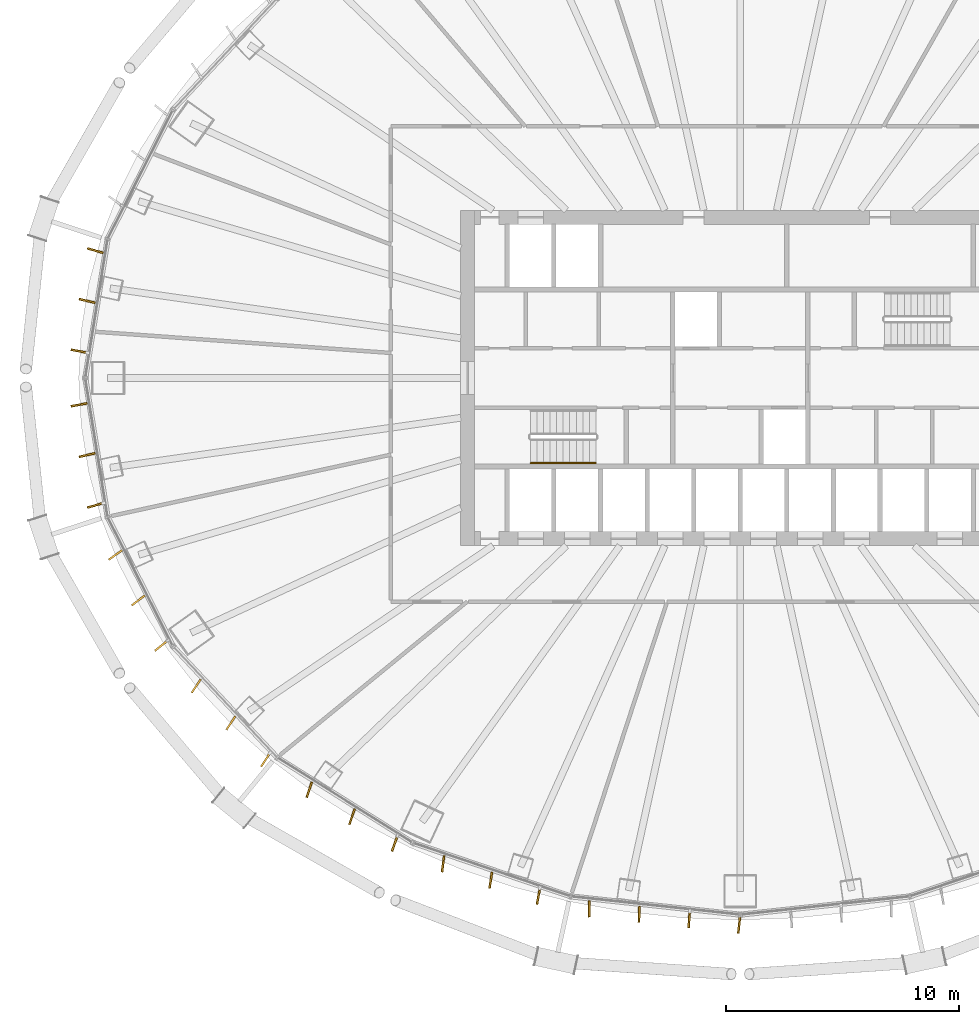
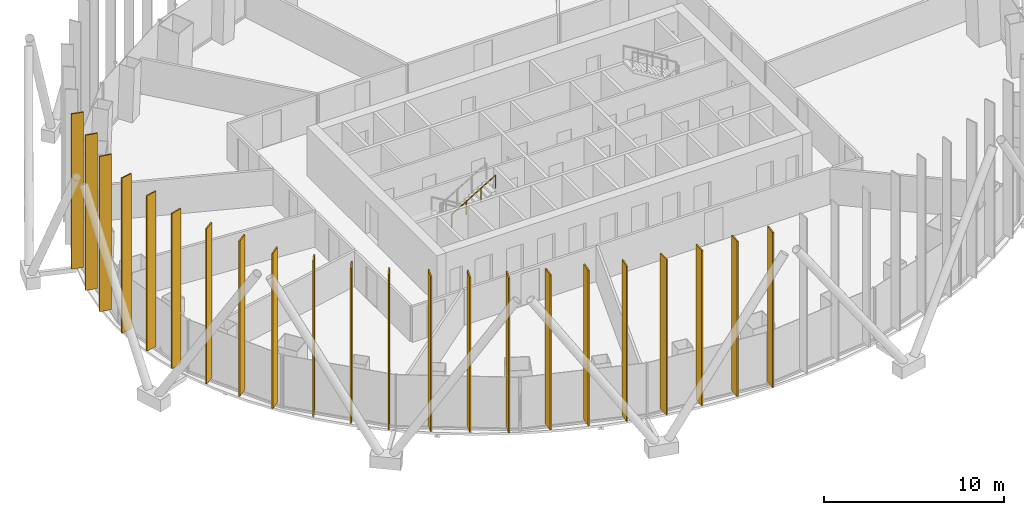
# One storey, part 19 of 22: 22 shading devices, 1 railing.
"""IFC4 building model written with IfcOpenShell, lengths in metres."""

import ifcopenshell
import ifcopenshell.guid

model = None  # the IFC model being written
_history = None  # IfcOwnerHistory: only IFC2X3 demands one
_inside = {}  # id of a spatial element -> (the spatial element, [elements in it])
_under = {}  # id of a project, library or spatial element -> (it, [spatial elements below it])
_declared = {}  # id of a project -> (the project, [libraries it declares])
_typed = {}  # id of a type object -> (the type object, [elements of that type])
_made_of = {}  # id of a material, layer set ... -> (it, [elements and type objects made of it])


def new_model(schema):
    """Start an empty IFC model of exactly this schema.

    Asked for "IFC4X3", IfcOpenShell would pick the latest addendum, in which some entities
    have other attributes; the version numbers below select the first issue.
    IFC2X3 requires an IfcOwnerHistory on every rooted entity: one is made here for all.
    """
    global model, _history
    if schema == "IFC4X3":
        model = ifcopenshell.file(schema_version=(4, 3, 0, 0))
    else:
        model = ifcopenshell.file(schema=schema)
    _inside.clear()
    _under.clear()
    _declared.clear()
    _typed.clear()
    _made_of.clear()
    _history = None
    if model.schema == "IFC2X3":
        org = make("IfcOrganization", Name="unknown")
        user = make(
            "IfcPersonAndOrganization",
            ThePerson=make("IfcPerson", FamilyName="unknown"),
            TheOrganization=org,
        )
        app = make(
            "IfcApplication",
            ApplicationDeveloper=org,
            Version="unknown",
            ApplicationFullName="unknown",
            ApplicationIdentifier="unknown",
        )
        _history = make(
            "IfcOwnerHistory",
            OwningUser=user,
            OwningApplication=app,
            ChangeAction="ADDED",
            CreationDate=0,
        )
    return model


def make(cls, **values):
    """One entity of the class cls with the attributes given. An attribute that is None is left unset."""
    return model.create_entity(
        cls, **{name: value for name, value in values.items() if value is not None}
    )


def rooted(cls, **values):
    """An entity with a GlobalId (a new one), such as an element, a storey or a relation."""
    return make(cls, GlobalId=ifcopenshell.guid.new(), OwnerHistory=_history, **values)


def si_unit(unit_type, name, prefix=None):
    """IfcSIUnit, for example si_unit("LENGTHUNIT", "METRE", prefix="MILLI")."""
    return make("IfcSIUnit", UnitType=unit_type, Prefix=prefix, Name=name)


def assignment(units):
    """IfcUnitAssignment: the units of a project."""
    return None if units is None else make("IfcUnitAssignment", Units=units)


def point(xyz):
    """IfcCartesianPoint."""
    return None if xyz is None else make("IfcCartesianPoint", Coordinates=xyz)


def direction(xyz):
    """IfcDirection."""
    return None if xyz is None else make("IfcDirection", DirectionRatios=xyz)


def frame(location, z_axis=None, x_axis=None):
    """IfcAxis2Placement3D, a coordinate frame: its origin and axes. An axis left out is left unset."""
    return make(
        "IfcAxis2Placement3D",
        Location=point(location),
        Axis=direction(z_axis),
        RefDirection=direction(x_axis),
    )


def frame_2d(location, x_axis=None):
    """IfcAxis2Placement2D, a coordinate frame in the plane: its origin and x axis."""
    return make(
        "IfcAxis2Placement2D", Location=point(location), RefDirection=direction(x_axis)
    )


def origin():
    """The frame at (0, 0, 0) with its axes left unset."""
    return frame((0.0, 0.0, 0.0))


def origin_2d():
    """The frame at (0, 0) in the plane with its x axis left unset."""
    return frame_2d((0.0, 0.0))


def place(relative_to, where):
    """IfcLocalPlacement: puts the frame where relative to a parent placement (None: the world)."""
    return make(
        "IfcLocalPlacement", PlacementRelTo=relative_to, RelativePlacement=where
    )


def context(
    kind, dimensions, precision=None, world=None, true_north=None, identifier=None
):
    """IfcGeometricRepresentationContext, for example the 3D "Model" context."""
    return make(
        "IfcGeometricRepresentationContext",
        ContextIdentifier=identifier,
        ContextType=kind,
        CoordinateSpaceDimension=dimensions,
        Precision=precision,
        WorldCoordinateSystem=world,
        TrueNorth=true_north,
    )


def subcontext(parent, identifier, kind, view, scale=None):
    """IfcGeometricRepresentationSubContext, for example "Body" below "Model"."""
    return make(
        "IfcGeometricRepresentationSubContext",
        ContextIdentifier=identifier,
        ContextType=kind,
        ParentContext=parent,
        TargetScale=scale,
        TargetView=view,
    )


def project(units=None, contexts=None):
    """IfcProject with its units and contexts."""
    return rooted(
        "IfcProject",
        Name="project",
        RepresentationContexts=contexts,
        UnitsInContext=assignment(units),
    )


def spatial(cls, under=None, at=None, **own):
    """A site, building, storey or space (cls), placed at a placement, below another one or the project."""
    s = rooted(cls, ObjectPlacement=at, **own)
    if under is not None:
        _under.setdefault(under.id(), (under, []))[1].append(s)
    return s


def profile(cls, at=None, kind="AREA", **sizes):
    """A parametric profile (cls). Its sizes go by their IFC names, for example OverallWidth=200.0."""
    return make(cls, ProfileType=kind, Position=at, **sizes)


def rectangle(**sizes):
    """IfcRectangleProfileDef."""
    return profile("IfcRectangleProfileDef", **sizes)


def circle(**sizes):
    """IfcCircleProfileDef."""
    return profile("IfcCircleProfileDef", **sizes)


def extrude(swept, where, along, depth):
    """IfcExtrudedAreaSolid: the profile swept, set in the frame where, extruded along a direction by depth."""
    return make(
        "IfcExtrudedAreaSolid",
        SweptArea=swept,
        Position=where,
        ExtrudedDirection=direction(along),
        Depth=depth,
    )


def shape(context_of_items, identifier, shape_type, items):
    """IfcShapeRepresentation: the items that make up one representation, for example the "Body"."""
    return make(
        "IfcShapeRepresentation",
        ContextOfItems=context_of_items,
        RepresentationIdentifier=identifier,
        RepresentationType=shape_type,
        Items=items,
    )


def material(Name=None, Category=None):
    """IfcMaterial."""
    return make("IfcMaterial", Name=Name, Category=Category)


def layer(
    of_material, thickness, ventilated=None, Name=None, Category=None, Priority=None
):
    """IfcMaterialLayer: one layer of a wall or slab, of a material (None: an air gap)."""
    return make(
        "IfcMaterialLayer",
        Material=of_material,
        LayerThickness=thickness,
        IsVentilated=ventilated,
        Name=Name,
        Category=Category,
        Priority=Priority,
    )


def layer_set(layers, Name=None):
    """IfcMaterialLayerSet."""
    return make("IfcMaterialLayerSet", MaterialLayers=layers, LayerSetName=Name)


def made_of(thing, what):
    """Note that an element or type object is made of a material, layer set ...; save() writes the relation."""
    if what is not None:
        _made_of.setdefault(what.id(), (what, []))[1].append(thing)
    return thing


def type_object(cls, material=None, **own):
    """A type object (cls), such as IfcWallType, which elements share."""
    return made_of(rooted(cls, **own), material)


def element(
    cls,
    number,
    at=None,
    inside=None,
    cuts=None,
    type_object=None,
    material=None,
    context=None,
    identifier="Body",
    shape_type=None,
    held_by="IfcProductDefinitionShape",
    body=None,
    shapes=None,
    **own,
):
    """One element of the class cls, such as IfcWall. Its Tag is "e" and its number.

    at: its placement. inside: the storey or other place that contains it. cuts: it is an
    opening in that element (IfcRelVoidsElement). A single representation is given by context,
    identifier, shape_type and body (its items); several are given by shapes. held_by: the class
    of the entity that holds the representations. save() writes the other relations.
    """
    e = rooted(cls, Tag="e%d" % number, ObjectPlacement=at, **own)
    if body is not None:
        shapes = [shape(context, identifier, shape_type, body)]
    if shapes is not None:
        e.Representation = make(held_by, Representations=shapes)
    if inside is not None:
        _inside.setdefault(inside.id(), (inside, []))[1].append(e)
    if cuts is not None:
        rooted(
            "IfcRelVoidsElement", RelatingBuildingElement=cuts, RelatedOpeningElement=e
        )
    if type_object is not None:
        _typed.setdefault(type_object.id(), (type_object, []))[1].append(e)
    return made_of(e, material)


def aggregate(whole, parts):
    """IfcRelAggregates: a whole, such as a stair, and the parts it consists of."""
    return rooted("IfcRelAggregates", RelatingObject=whole, RelatedObjects=parts)


def save(model, path):
    """Write the relations noted so far, then the file.

    IfcRelAggregates (storeys below a building ...), IfcRelContainedInSpatialStructure (elements
    in a storey), IfcRelDefinesByType, IfcRelAssociatesMaterial and IfcRelDeclares: one each for
    every whole, place, type object, material and project.
    """
    for whole, parts in _under.values():
        aggregate(whole, parts)
    for where, things in _inside.values():
        rooted(
            "IfcRelContainedInSpatialStructure",
            RelatedElements=things,
            RelatingStructure=where,
        )
    for kind, things in _typed.values():
        rooted("IfcRelDefinesByType", RelatedObjects=things, RelatingType=kind)
    for what, things in _made_of.values():
        rooted("IfcRelAssociatesMaterial", RelatedObjects=things, RelatingMaterial=what)
    for by, libraries in _declared.values():
        rooted("IfcRelDeclares", RelatingContext=by, RelatedDefinitions=libraries)
    model.write(path)


model = new_model("IFC4")

# Units and contexts
model_context = context("Model", 3, precision=1e-05, world=origin(), true_north=direction((0.0, 1.0)))
body_context = subcontext(model_context, "Body", "Model", "MODEL_VIEW")
ifc_project = project(units=[si_unit("LENGTHUNIT", "METRE"), si_unit("AREAUNIT", "SQUARE_METRE"), si_unit("VOLUMEUNIT", "CUBIC_METRE"), si_unit("PLANEANGLEUNIT", "RADIAN"), si_unit("MASSUNIT", "GRAM", prefix="KILO")], contexts=[model_context])

# Site, building, storey
site_placement = place(None, origin())
site = spatial("IfcSite", under=ifc_project, at=site_placement, CompositionType="ELEMENT")
building_placement = place(site_placement, origin())
building = spatial("IfcBuilding", under=site, at=building_placement, Name="Siaravel Broadcast Tower", CompositionType="ELEMENT")
storey_placement = place(building_placement, frame((0.0, 0.0, 37.10009765625)))
storey = spatial("IfcBuildingStorey", under=building, at=storey_placement, Name="L07", CompositionType="ELEMENT", Elevation=37.10009765625)

# Shading devices
ifc_material_1 = material(Name="Bronze anodised aluminium", Category="aluminium")
ifc_layer = layer(ifc_material_1, 0.080078125)
ifc_layer_set = layer_set([ifc_layer], Name="Bronze anodised aluminium")
shading_device_type = type_object("IfcShadingDeviceType", Name="Bronze fin zone 1", PredefinedType="USERDEFINED", material=ifc_layer_set)
for number, where, z_axis, x_axis, name in (
    (1, (-27.68896484375, 5.467529296875, 0.2998046875), (0.0, 0.0, 1.0), (-0.963699451, 0.266989453, 0.0), "Bronze fin L07-35"),
    (2, (-28.037109375, 3.3095703125, 0.2998046875), (0.0, 0.0, 1.0), (-0.974237585, 0.225524116, 0.0), "Bronze fin L07-36"),
    (3, (-28.384765625, 1.150634765625, 0.2998046875), (0.0, 0.0, 1.0), (-0.983449316, 0.18118345, 0.0), "Bronze fin L07-37"),
    (4, (-28.384765625, -1.150634765625, 0.2998046875), (0.0, 0.0, 1.0), (-0.983449316, -0.18118345, 0.0), "Bronze fin L07-38"),
    (5, (-28.037109375, -3.3095703125, 0.2998046875), (0.0, 0.0, 1.0), (-0.974237585, -0.225524116, 0.0), "Bronze fin L07-39"),
    (6, (-27.68896484375, -5.467529296875, 0.2998046875), (0.0, 0.0, 1.0), (-0.963699451, -0.266989453, 0.0), "Bronze fin L07-40"),
    (7, (-26.828125, -7.600830078125, 0.2998046875), (0.0, 0.0, 1.0), (-0.815676422, -0.578508404, 0.0), "Bronze fin L07-41"),
    (8, (-25.841552734375, -9.54736328125, 0.2998046875), (0.0, 0.0, 1.0), (-0.796221689, -0.605004977, 0.0), "Bronze fin L07-42"),
    (9, (-24.856201171875, -11.4921875, 0.2998046875), (0.0, 0.0, 1.0), (-0.779806914, -0.626020109, 0.0), "Bronze fin L07-43"),
    (10, (-23.35498046875, -13.224365234375, 0.2998046875), (0.0, 0.0, 1.0), (-0.556990135, -0.830519109, 0.0), "Bronze fin L07-44"),
    (11, (-21.8671875, -14.81103515625, 0.2998046875), (0.0, 0.0, 1.0), (-0.546869332, -0.837217973, 0.0), "Bronze fin L07-45"),
    (12, (-20.381591796875, -16.396484375, 0.2998046875), (0.0, 0.0, 1.0), (-0.542812442, -0.839853947, 0.0), "Bronze fin L07-46"),
    (13, (-18.501953125, -17.676025390625, 0.2998046875), (0.0, 0.0, 1.0), (-0.313738915, -0.949509291, 0.0), "Bronze fin L07-47"),
    (14, (-16.6669921875, -18.830322265625, 0.2998046875), (0.0, 0.0, 1.0), (-0.322176474, -0.946679629, 0.0), "Bronze fin L07-48"),
    (15, (-14.833984375, -19.98388671875, 0.2998046875), (0.0, 0.0, 1.0), (-0.336571033, -0.94165808, 0.0), "Bronze fin L07-49"),
    (16, (-12.75732421875, -20.860595703125, 0.2998046875), (0.0, 0.0, 1.0), (-0.129261166, -0.991610584, 0.0), "Bronze fin L07-50"),
    (17, (-10.710205078125, -21.556884765625, 0.2998046875), (0.0, 0.0, 1.0), (-0.154329301, -0.988019467, 0.0), "Bronze fin L07-51"),
    (18, (-8.664794921875, -22.25244140625, 0.2998046875), (0.0, 0.0, 1.0), (-0.183573917, -0.983005909, 0.0), "Bronze fin L07-52"),
    (19, (-6.48486328125, -22.78857421875, 0.2998046875), (0.0, 0.0, 1.0), (0.002403316, -0.999997112, 0.0), "Bronze fin L07-53"),
    (20, (-4.338623046875, -23.02099609375, 0.2998046875), (0.0, 0.0, 1.0), (-0.032703383, -0.999465101, 0.0), "Bronze fin L07-54"),
    (21, (-2.193359375, -23.253173828125, 0.2998046875), (0.0, 0.0, 1.0), (-0.069711206, -0.997567215, 0.0), "Bronze fin L07-55"),
    (22, (-0.048095703125, -23.484619140625, 0.2998046875), (0.0, 0.0, 1.0), (-0.107216783, -0.994235667, 0.0), "Bronze fin L07-56"),
):
    element("IfcShadingDevice", number, at=place(storey_placement, frame(where, z_axis=z_axis, x_axis=x_axis)), inside=storey, type_object=shading_device_type, Name=name, ObjectType="FIN", PredefinedType="USERDEFINED", context=body_context, shape_type="SweptSolid", body=[
        extrude(rectangle(XDim=0.699951171875, YDim=0.080078125, at=origin_2d()), origin(), (0.0, 0.0, 1.0), 10.5),
    ])

# Railing
ifc_material_2 = material(Name="Stainless steel 316L", Category="steel")
railing_type = type_object("IfcRailingType", Name="Stair handrail 900", PredefinedType="HANDRAIL", material=ifc_material_2)
railing_placement = place(storey_placement, frame((-9.0, -3.64990234375, 2.01806640625)))
element("IfcRailing", 23, at=railing_placement, inside=storey, type_object=railing_type, Name="L07 ST-1 stair handrail 2", PredefinedType="HANDRAIL", context=body_context, shape_type="SweptSolid", body=[
    extrude(circle(Radius=0.02392578125, at=origin_2d()), frame((0.0, 0.0, 0.8759765625), z_axis=(0.857242211, 0.0, 0.514913383), x_axis=(0.0, 1.0, 0.0)), (0.0, 0.0, 1.0), 3.266357421875),
    extrude(circle(Radius=0.02099609375, at=origin_2d()), origin(), (0.0, 0.0, 1.0), 0.851806640625),
    extrude(circle(Radius=0.02099609375, at=origin_2d()), frame((0.933349609375, 0.0, 0.560546875)), (0.0, 0.0, 1.0), 0.851806640625),
    extrude(circle(Radius=0.02099609375, at=origin_2d()), frame((1.86669921875, 0.0, 1.121337890625)), (0.0, 0.0, 1.0), 0.851806640625),
    extrude(circle(Radius=0.02099609375, at=origin_2d()), frame((2.800048828125, 0.0, 1.681884765625)), (0.0, 0.0, 1.0), 0.851806640625),
])

save(model, "model.ifc")
